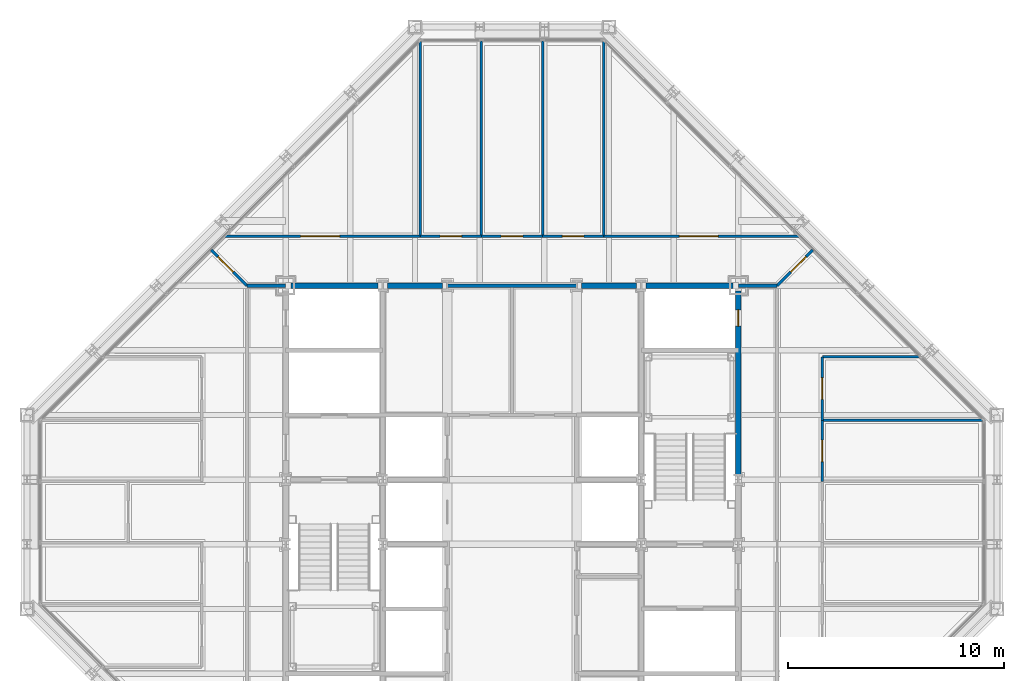
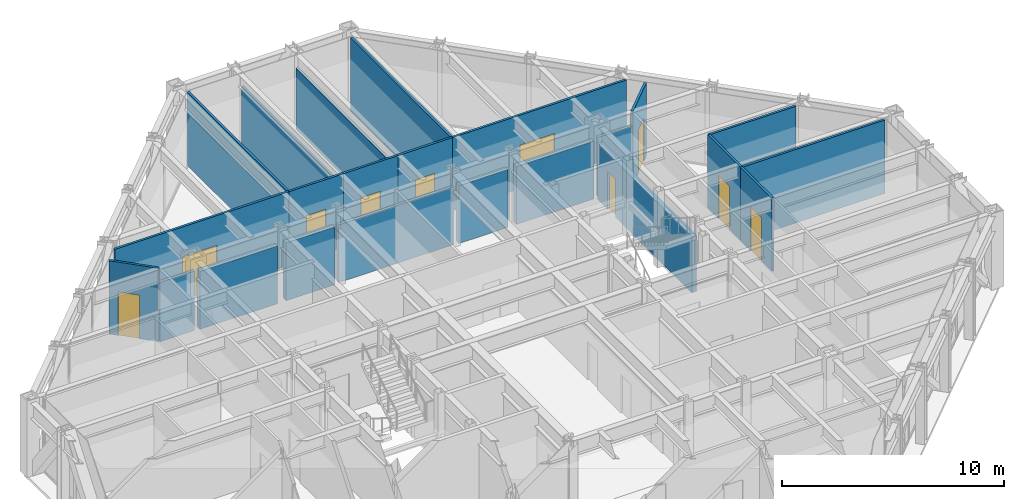
# One storey, part 12 of 15: 23 walls, 10 doors, 10 openings.
"""IFC4 building model written with IfcOpenShell, lengths in metres."""

import ifcopenshell
import ifcopenshell.guid

model = None  # the IFC model being written
_history = None  # IfcOwnerHistory: only IFC2X3 demands one
_inside = {}  # id of a spatial element -> (the spatial element, [elements in it])
_under = {}  # id of a project, library or spatial element -> (it, [spatial elements below it])
_declared = {}  # id of a project -> (the project, [libraries it declares])
_typed = {}  # id of a type object -> (the type object, [elements of that type])
_made_of = {}  # id of a material, layer set ... -> (it, [elements and type objects made of it])


def new_model(schema):
    """Start an empty IFC model of exactly this schema.

    Asked for "IFC4X3", IfcOpenShell would pick the latest addendum, in which some entities
    have other attributes; the version numbers below select the first issue.
    IFC2X3 requires an IfcOwnerHistory on every rooted entity: one is made here for all.
    """
    global model, _history
    if schema == "IFC4X3":
        model = ifcopenshell.file(schema_version=(4, 3, 0, 0))
    else:
        model = ifcopenshell.file(schema=schema)
    _inside.clear()
    _under.clear()
    _declared.clear()
    _typed.clear()
    _made_of.clear()
    _history = None
    if model.schema == "IFC2X3":
        org = make("IfcOrganization", Name="unknown")
        user = make(
            "IfcPersonAndOrganization",
            ThePerson=make("IfcPerson", FamilyName="unknown"),
            TheOrganization=org,
        )
        app = make(
            "IfcApplication",
            ApplicationDeveloper=org,
            Version="unknown",
            ApplicationFullName="unknown",
            ApplicationIdentifier="unknown",
        )
        _history = make(
            "IfcOwnerHistory",
            OwningUser=user,
            OwningApplication=app,
            ChangeAction="ADDED",
            CreationDate=0,
        )
    return model


def make(cls, **values):
    """One entity of the class cls with the attributes given. An attribute that is None is left unset."""
    return model.create_entity(
        cls, **{name: value for name, value in values.items() if value is not None}
    )


def rooted(cls, **values):
    """An entity with a GlobalId (a new one), such as an element, a storey or a relation."""
    return make(cls, GlobalId=ifcopenshell.guid.new(), OwnerHistory=_history, **values)


def si_unit(unit_type, name, prefix=None):
    """IfcSIUnit, for example si_unit("LENGTHUNIT", "METRE", prefix="MILLI")."""
    return make("IfcSIUnit", UnitType=unit_type, Prefix=prefix, Name=name)


def assignment(units):
    """IfcUnitAssignment: the units of a project."""
    return None if units is None else make("IfcUnitAssignment", Units=units)


def point(xyz):
    """IfcCartesianPoint."""
    return None if xyz is None else make("IfcCartesianPoint", Coordinates=xyz)


def direction(xyz):
    """IfcDirection."""
    return None if xyz is None else make("IfcDirection", DirectionRatios=xyz)


def frame(location, z_axis=None, x_axis=None):
    """IfcAxis2Placement3D, a coordinate frame: its origin and axes. An axis left out is left unset."""
    return make(
        "IfcAxis2Placement3D",
        Location=point(location),
        Axis=direction(z_axis),
        RefDirection=direction(x_axis),
    )


def frame_2d(location, x_axis=None):
    """IfcAxis2Placement2D, a coordinate frame in the plane: its origin and x axis."""
    return make(
        "IfcAxis2Placement2D", Location=point(location), RefDirection=direction(x_axis)
    )


def origin():
    """The frame at (0, 0, 0) with its axes left unset."""
    return frame((0.0, 0.0, 0.0))


def place(relative_to, where):
    """IfcLocalPlacement: puts the frame where relative to a parent placement (None: the world)."""
    return make(
        "IfcLocalPlacement", PlacementRelTo=relative_to, RelativePlacement=where
    )


def context(
    kind, dimensions, precision=None, world=None, true_north=None, identifier=None
):
    """IfcGeometricRepresentationContext, for example the 3D "Model" context."""
    return make(
        "IfcGeometricRepresentationContext",
        ContextIdentifier=identifier,
        ContextType=kind,
        CoordinateSpaceDimension=dimensions,
        Precision=precision,
        WorldCoordinateSystem=world,
        TrueNorth=true_north,
    )


def subcontext(parent, identifier, kind, view, scale=None):
    """IfcGeometricRepresentationSubContext, for example "Body" below "Model"."""
    return make(
        "IfcGeometricRepresentationSubContext",
        ContextIdentifier=identifier,
        ContextType=kind,
        ParentContext=parent,
        TargetScale=scale,
        TargetView=view,
    )


def project(units=None, contexts=None):
    """IfcProject with its units and contexts."""
    return rooted(
        "IfcProject",
        Name="project",
        RepresentationContexts=contexts,
        UnitsInContext=assignment(units),
    )


def spatial(cls, under=None, at=None, **own):
    """A site, building, storey or space (cls), placed at a placement, below another one or the project."""
    s = rooted(cls, ObjectPlacement=at, **own)
    if under is not None:
        _under.setdefault(under.id(), (under, []))[1].append(s)
    return s


def profile(cls, at=None, kind="AREA", **sizes):
    """A parametric profile (cls). Its sizes go by their IFC names, for example OverallWidth=200.0."""
    return make(cls, ProfileType=kind, Position=at, **sizes)


def rectangle(**sizes):
    """IfcRectangleProfileDef."""
    return profile("IfcRectangleProfileDef", **sizes)


def extrude(swept, where, along, depth):
    """IfcExtrudedAreaSolid: the profile swept, set in the frame where, extruded along a direction by depth."""
    return make(
        "IfcExtrudedAreaSolid",
        SweptArea=swept,
        Position=where,
        ExtrudedDirection=direction(along),
        Depth=depth,
    )


def shape(context_of_items, identifier, shape_type, items):
    """IfcShapeRepresentation: the items that make up one representation, for example the "Body"."""
    return make(
        "IfcShapeRepresentation",
        ContextOfItems=context_of_items,
        RepresentationIdentifier=identifier,
        RepresentationType=shape_type,
        Items=items,
    )


def material(Name=None, Category=None):
    """IfcMaterial."""
    return make("IfcMaterial", Name=Name, Category=Category)


def layer(
    of_material, thickness, ventilated=None, Name=None, Category=None, Priority=None
):
    """IfcMaterialLayer: one layer of a wall or slab, of a material (None: an air gap)."""
    return make(
        "IfcMaterialLayer",
        Material=of_material,
        LayerThickness=thickness,
        IsVentilated=ventilated,
        Name=Name,
        Category=Category,
        Priority=Priority,
    )


def layer_set(layers, Name=None):
    """IfcMaterialLayerSet."""
    return make("IfcMaterialLayerSet", MaterialLayers=layers, LayerSetName=Name)


def made_of(thing, what):
    """Note that an element or type object is made of a material, layer set ...; save() writes the relation."""
    if what is not None:
        _made_of.setdefault(what.id(), (what, []))[1].append(thing)
    return thing


def type_object(cls, material=None, **own):
    """A type object (cls), such as IfcWallType, which elements share."""
    return made_of(rooted(cls, **own), material)


def element(
    cls,
    number,
    at=None,
    inside=None,
    cuts=None,
    type_object=None,
    material=None,
    context=None,
    identifier="Body",
    shape_type=None,
    held_by="IfcProductDefinitionShape",
    body=None,
    shapes=None,
    **own,
):
    """One element of the class cls, such as IfcWall. Its Tag is "e" and its number.

    at: its placement. inside: the storey or other place that contains it. cuts: it is an
    opening in that element (IfcRelVoidsElement). A single representation is given by context,
    identifier, shape_type and body (its items); several are given by shapes. held_by: the class
    of the entity that holds the representations. save() writes the other relations.
    """
    e = rooted(cls, Tag="e%d" % number, ObjectPlacement=at, **own)
    if body is not None:
        shapes = [shape(context, identifier, shape_type, body)]
    if shapes is not None:
        e.Representation = make(held_by, Representations=shapes)
    if inside is not None:
        _inside.setdefault(inside.id(), (inside, []))[1].append(e)
    if cuts is not None:
        rooted(
            "IfcRelVoidsElement", RelatingBuildingElement=cuts, RelatedOpeningElement=e
        )
    if type_object is not None:
        _typed.setdefault(type_object.id(), (type_object, []))[1].append(e)
    return made_of(e, material)


def fill(opening, filler):
    """IfcRelFillsElement: the door or window that sits in an opening."""
    return rooted(
        "IfcRelFillsElement",
        RelatingOpeningElement=opening,
        RelatedBuildingElement=filler,
    )


def aggregate(whole, parts):
    """IfcRelAggregates: a whole, such as a stair, and the parts it consists of."""
    return rooted("IfcRelAggregates", RelatingObject=whole, RelatedObjects=parts)


def save(model, path):
    """Write the relations noted so far, then the file.

    IfcRelAggregates (storeys below a building ...), IfcRelContainedInSpatialStructure (elements
    in a storey), IfcRelDefinesByType, IfcRelAssociatesMaterial and IfcRelDeclares: one each for
    every whole, place, type object, material and project.
    """
    for whole, parts in _under.values():
        aggregate(whole, parts)
    for where, things in _inside.values():
        rooted(
            "IfcRelContainedInSpatialStructure",
            RelatedElements=things,
            RelatingStructure=where,
        )
    for kind, things in _typed.values():
        rooted("IfcRelDefinesByType", RelatedObjects=things, RelatingType=kind)
    for what, things in _made_of.values():
        rooted("IfcRelAssociatesMaterial", RelatedObjects=things, RelatingMaterial=what)
    for by, libraries in _declared.values():
        rooted("IfcRelDeclares", RelatingContext=by, RelatedDefinitions=libraries)
    model.write(path)


model = new_model("IFC4")

# Units and contexts
model_context = context("Model", 3, precision=1e-05, world=origin(), true_north=direction((0.0, 1.0)))
body_context = subcontext(model_context, "Body", "Model", "MODEL_VIEW")
ifc_project = project(units=[si_unit("LENGTHUNIT", "METRE"), si_unit("AREAUNIT", "SQUARE_METRE"), si_unit("VOLUMEUNIT", "CUBIC_METRE"), si_unit("PLANEANGLEUNIT", "RADIAN"), si_unit("MASSUNIT", "GRAM", prefix="KILO")], contexts=[model_context])

# Site, building, storey
site_placement = place(None, origin())
site = spatial("IfcSite", under=ifc_project, at=site_placement, CompositionType="ELEMENT")
building_placement = place(site_placement, origin())
building = spatial("IfcBuilding", under=site, at=building_placement, Name="Chuquiago Exchange Tower", CompositionType="ELEMENT")
storey_placement = place(building_placement, frame((0.0, 0.0, 262.199951171875)))
storey = spatial("IfcBuildingStorey", under=building, at=storey_placement, Name="L58", CompositionType="ELEMENT", Elevation=262.199951171875)

# Walls
ifc_material_1 = material(Name="Concrete masonry, fully grouted", Category="masonry")
ifc_layer_1 = layer(ifc_material_1, 0.25)
ifc_layer_set_1 = layer_set([ifc_layer_1], Name="W1 core wall 250")
wall_type_1 = type_object("IfcWallType", Name="W1 core wall 250", PredefinedType="SOLIDWALL", material=ifc_layer_set_1)
wall_1_placement = place(storey_placement, frame((12.25, 33.0, 0.0), z_axis=(0.0, 0.0, 1.0), x_axis=(1.0, 0.0, 0.0)))
element("IfcWall", 1, at=wall_1_placement, inside=storey, type_object=wall_type_1, Name="CW-L58-11-0", PredefinedType="SOLIDWALL", context=body_context, shape_type="SweptSolid", body=[
    extrude(rectangle(XDim=4.025146484375, YDim=0.25, at=frame_2d((2.0126953125, 0.0))), origin(), (0.0, 0.0, 1.0), 3.181640625),
])
for number, where, z_axis, x_axis, name in (
    (2, (16.724853515625, 33.0, 0.0), (0.0, 0.0, 1.0), (1.0, 0.0, 0.0), "CW-L58-11-1"),
    (3, (25.724853515625, 33.0, 0.0), (0.0, 0.0, 1.0), (1.0, 0.0, 0.0), "CW-L58-12-0"),
):
    element("IfcWall", number, at=place(storey_placement, frame(where, z_axis=z_axis, x_axis=x_axis)), inside=storey, type_object=wall_type_1, Name=name, PredefinedType="SOLIDWALL", context=body_context, shape_type="SweptSolid", body=[
        extrude(rectangle(XDim=2.55029296875, YDim=0.25, at=frame_2d((1.275146484375, 0.0))), origin(), (0.0, 0.0, 1.0), 3.181640625),
    ])
wall_2_placement = place(storey_placement, frame((28.724853515625, 33.0, 0.0), z_axis=(0.0, 0.0, 1.0), x_axis=(1.0, 0.0, 0.0)))
element("IfcWall", 4, at=wall_2_placement, inside=storey, type_object=wall_type_1, Name="CW-L58-12-1", PredefinedType="SOLIDWALL", context=body_context, shape_type="SweptSolid", body=[
    extrude(rectangle(XDim=4.025146484375, YDim=0.25, at=frame_2d((2.0126953125, 0.0))), origin(), (0.0, 0.0, 1.0), 3.181640625),
])

# Wall, opening, door
wall_3_placement = place(storey_placement, frame((33.0, 24.25, 0.0), z_axis=(0.0, 0.0, 1.0), x_axis=(0.0, 1.0, 0.0)))
wall_3 = element("IfcWall", 5, at=wall_3_placement, inside=storey, type_object=wall_type_1, Name="CW-L58-25-2", PredefinedType="SOLIDWALL", context=body_context, shape_type="SweptSolid", body=[
    extrude(rectangle(XDim=8.5, YDim=0.25, at=frame_2d((4.25, 0.0))), origin(), (0.0, 0.0, 1.0), 3.113037109375),
])
opening_1_placement = place(wall_3_placement, frame((6.875, 0.0, 0.0)))
opening_1 = element("IfcOpeningElement", 6, at=opening_1_placement, cuts=wall_3, Name="Opening L58-010", PredefinedType="OPENING", context=body_context, shape_type="SweptSolid", body=[
    extrude(rectangle(XDim=0.75, YDim=2.10009765625, at=frame_2d((0.375, 1.050048828125))), frame((0.0, 0.135009765625, 0.0), z_axis=(0.0, -1.0, 0.0), x_axis=(1.0, 0.0, 0.0)), (0.0, 0.0, 1.0), 0.27001953125),
])
ifc_material_2 = material(Name="Steel door, painted", Category="steel")
door_type_1 = type_object("IfcDoorType", Name="D6 riser access door 750x2100", OperationType="SINGLE_SWING_LEFT", PredefinedType="DOOR", material=ifc_material_2)
door_1_placement = place(opening_1_placement, origin())
door_1 = element("IfcDoor", 7, at=door_1_placement, inside=storey, type_object=door_type_1, Name="Riser RE2 door", OperationType="SINGLE_SWING_RIGHT", OverallHeight=2.10009765625, OverallWidth=0.75, PredefinedType="DOOR", context=body_context, shape_type="SweptSolid", body=[
    extrude(rectangle(XDim=0.75, YDim=2.10009765625, at=frame_2d((0.375, 1.050048828125))), frame((0.0, 0.02490234375, 0.0), z_axis=(0.0, -1.0, 0.0), x_axis=(1.0, 0.0, 0.0)), (0.0, 0.0, 1.0), 0.050048828125),
])
fill(opening_1, door_1)

# Walls
ifc_material_3 = material(Name="Gypsum board on steel studs, acoustic insulation", Category="steel")
ifc_layer_2 = layer(ifc_material_3, 0.14990234375)
ifc_layer_set_2 = layer_set([ifc_layer_2], Name="W11 corridor wall 150")
wall_type_2 = type_object("IfcWallType", Name="W11 corridor wall 150", PredefinedType="PARTITIONING", material=ifc_layer_set_2)
for number, where, z_axis, x_axis, name in (
    (8, (10.199951171875, 33.0, 0.0), (0.0, 0.0, 1.0), (1.0, 0.0, 0.0), "PW-L58-GWN0"),
    (9, (33.0, 33.0, 0.0), (0.0, 0.0, 1.0), (1.0, 0.0, 0.0), "PW-L58-GEN0"),
):
    element("IfcWall", number, at=place(storey_placement, frame(where, z_axis=z_axis, x_axis=x_axis)), inside=storey, type_object=wall_type_2, Name=name, PredefinedType="PARTITIONING", context=body_context, shape_type="SweptSolid", body=[
        extrude(rectangle(XDim=1.800048828125, YDim=0.14990234375, at=frame_2d((0.89990234375, 0.0))), origin(), (0.0, 0.0, 1.0), 3.2705078125),
    ])
ifc_material_4 = material(Name="Gypsum board on steel studs", Category="steel")
ifc_layer_3 = layer(ifc_material_4, 0.14990234375)
ifc_layer_set_3 = layer_set([ifc_layer_3], Name="W3 core partition 150")
wall_type_3 = type_object("IfcWallType", Name="W3 core partition 150", PredefinedType="PARTITIONING", material=ifc_layer_set_3)
wall_4_placement = place(storey_placement, frame((19.5, 33.0, 0.0), z_axis=(0.0, 0.0, 1.0), x_axis=(1.0, 0.0, 0.0)))
element("IfcWall", 10, at=wall_4_placement, inside=storey, type_object=wall_type_3, Name="CW-L58-TB", PredefinedType="PARTITIONING", context=body_context, shape_type="SweptSolid", body=[
    extrude(rectangle(XDim=6.0, YDim=0.14990234375, at=frame_2d((3.0, 0.0))), origin(), (0.0, 0.0, 1.0), 3.181640625),
])
ifc_material_5 = material(Name="Gypsum board on steel studs", Category="steel")
ifc_layer_4 = layer(ifc_material_5, 0.1201171875)
ifc_layer_set_4 = layer_set([ifc_layer_4], Name="W4 partition 120")
wall_type_4 = type_object("IfcWallType", Name="W4 partition 120", PredefinedType="PARTITIONING", material=ifc_layer_set_4)
wall_5_placement = place(storey_placement, frame((44.333984375, 26.75146484375, 0.0), z_axis=(0.0, 0.0, 1.0), x_axis=(-1.0, 0.0, 0.0)))
element("IfcWall", 11, at=wall_5_placement, inside=storey, type_object=wall_type_4, Name="PW-L58-E02675", PredefinedType="PARTITIONING", context=body_context, shape_type="SweptSolid", body=[
    extrude(rectangle(XDim=7.43408203125, YDim=0.1201171875, at=frame_2d((3.717041015625, 0.0))), origin(), (0.0, 0.0, 1.0), 4.0400390625),
])
wall_6_placement = place(storey_placement, frame((41.392578125, 29.69287109375, 0.0), z_axis=(0.0, 0.0, 1.0), x_axis=(-1.0, 0.0, 0.0)))
element("IfcWall", 12, at=wall_6_placement, inside=storey, type_object=wall_type_4, Name="PW-L58-E02969", PredefinedType="PARTITIONING", context=body_context, shape_type="SweptSolid", body=[
    extrude(rectangle(XDim=4.49267578125, YDim=0.1201171875, at=frame_2d((2.246337890625, 0.0))), origin(), (0.0, 0.0, 1.0), 4.0400390625),
])

# Wall, opening, door
wall_7_placement = place(storey_placement, frame((36.89990234375, 23.917236328125, 0.0), z_axis=(0.0, 0.0, 1.0), x_axis=(0.0, 1.0, 0.0)))
wall_7 = element("IfcWall", 13, at=wall_7_placement, inside=storey, type_object=wall_type_4, Name="PW-L58-EF02392", PredefinedType="PARTITIONING", context=body_context, shape_type="SweptSolid", body=[
    extrude(rectangle(XDim=2.834228515625, YDim=0.1201171875, at=frame_2d((1.4169921875, 0.0))), origin(), (0.0, 0.0, 1.0), 4.0400390625),
])
opening_2_placement = place(wall_7_placement, frame((0.9169921875, 0.0, 0.0)))
opening_2 = element("IfcOpeningElement", 14, at=opening_2_placement, cuts=wall_7, Name="Opening L58-029", PredefinedType="OPENING", context=body_context, shape_type="SweptSolid", body=[
    extrude(rectangle(XDim=1.0, YDim=2.39990234375, at=frame_2d((0.5, 1.199951171875))), frame((0.0, 0.070068359375, 0.0), z_axis=(0.0, -1.0, 0.0), x_axis=(1.0, 0.0, 0.0)), (0.0, 0.0, 1.0), 0.14013671875),
])
ifc_material_6 = material(Name="Timber frame door, full height glazed panel", Category="wood")
door_type_2 = type_object("IfcDoorType", Name="D14 glazed meeting room door 1000x2400", OperationType="SINGLE_SWING_LEFT", PredefinedType="DOOR", material=ifc_material_6)
door_2_placement = place(opening_2_placement, frame((1.0, 0.0, 0.0), z_axis=(0.0, 0.0, 1.0), x_axis=(-1.0, 0.0, 0.0)))
door_2 = element("IfcDoor", 15, at=door_2_placement, inside=storey, type_object=door_type_2, Name="Meeting room door", OperationType="SINGLE_SWING_RIGHT", OverallHeight=2.39990234375, OverallWidth=1.0, PredefinedType="DOOR", context=body_context, shape_type="SweptSolid", body=[
    extrude(rectangle(XDim=1.0, YDim=2.39990234375, at=frame_2d((0.5, 1.199951171875))), frame((0.0, 0.02490234375, 0.0), z_axis=(0.0, -1.0, 0.0), x_axis=(1.0, 0.0, 0.0)), (0.0, 0.0, 1.0), 0.050048828125),
])
fill(opening_2, door_2)

wall_8_placement = place(storey_placement, frame((36.89990234375, 26.75146484375, 0.0), z_axis=(0.0, 0.0, 1.0), x_axis=(0.0, 1.0, 0.0)))
wall_8 = element("IfcWall", 16, at=wall_8_placement, inside=storey, type_object=wall_type_4, Name="PW-L58-EF02675", PredefinedType="PARTITIONING", context=body_context, shape_type="SweptSolid", body=[
    extrude(rectangle(XDim=2.94140625, YDim=0.1201171875, at=frame_2d((1.470703125, 0.0))), origin(), (0.0, 0.0, 1.0), 4.0400390625),
])
opening_3_placement = place(wall_8_placement, frame((0.970703125, 0.0, 0.0)))
opening_3 = element("IfcOpeningElement", 17, at=opening_3_placement, cuts=wall_8, Name="Opening L58-030", PredefinedType="OPENING", context=body_context, shape_type="SweptSolid", body=[
    extrude(rectangle(XDim=1.0, YDim=2.39990234375, at=frame_2d((0.5, 1.199951171875))), frame((0.0, 0.070068359375, 0.0), z_axis=(0.0, -1.0, 0.0), x_axis=(1.0, 0.0, 0.0)), (0.0, 0.0, 1.0), 0.14013671875),
])
ifc_material_7 = material(Name="Timber door, laminate faced", Category="wood")
door_type_3 = type_object("IfcDoorType", Name="D9 room door 1000x2400", OperationType="SINGLE_SWING_LEFT", PredefinedType="DOOR", material=ifc_material_7)
door_3_placement = place(opening_3_placement, frame((1.0, 0.0, 0.0), z_axis=(0.0, 0.0, 1.0), x_axis=(-1.0, 0.0, 0.0)))
door_3 = element("IfcDoor", 18, at=door_3_placement, inside=storey, type_object=door_type_3, Name="Office door", OperationType="SINGLE_SWING_RIGHT", OverallHeight=2.39990234375, OverallWidth=1.0, PredefinedType="DOOR", context=body_context, shape_type="SweptSolid", body=[
    extrude(rectangle(XDim=1.0, YDim=2.39990234375, at=frame_2d((0.5, 1.199951171875))), frame((0.0, 0.02490234375, 0.0), z_axis=(0.0, -1.0, 0.0), x_axis=(1.0, 0.0, 0.0)), (0.0, 0.0, 1.0), 0.050048828125),
])
fill(opening_3, door_3)

# Walls
wall_9_placement = place(storey_placement, frame((18.24853515625, 44.333984375, 0.0), z_axis=(0.0, 0.0, 1.0), x_axis=(0.0, -1.0, 0.0)))
element("IfcWall", 19, at=wall_9_placement, inside=storey, type_object=wall_type_4, Name="PW-L58-N01825", PredefinedType="PARTITIONING", context=body_context, shape_type="SweptSolid", body=[
    extrude(rectangle(XDim=9.033935546875, YDim=0.1201171875, at=frame_2d((4.51708984375, 0.0))), origin(), (0.0, 0.0, 1.0), 4.0400390625),
])
for number, where, z_axis, x_axis, name in (
    (20, (21.082763671875, 44.347412109375, 0.0), (0.0, 0.0, 1.0), (0.0, -1.0, 0.0), "PW-L58-N02108"),
    (21, (23.917236328125, 44.347412109375, 0.0), (0.0, 0.0, 1.0), (0.0, -1.0, 0.0), "PW-L58-N02392"),
):
    element("IfcWall", number, at=place(storey_placement, frame(where, z_axis=z_axis, x_axis=x_axis)), inside=storey, type_object=wall_type_4, Name=name, PredefinedType="PARTITIONING", context=body_context, shape_type="SweptSolid", body=[
        extrude(rectangle(XDim=9.04736328125, YDim=0.1201171875, at=frame_2d((4.523681640625, 0.0))), origin(), (0.0, 0.0, 1.0), 3.35693359375),
    ])
wall_10_placement = place(storey_placement, frame((26.75146484375, 44.333984375, 0.0), z_axis=(0.0, 0.0, 1.0), x_axis=(0.0, -1.0, 0.0)))
element("IfcWall", 22, at=wall_10_placement, inside=storey, type_object=wall_type_4, Name="PW-L58-N02675", PredefinedType="PARTITIONING", context=body_context, shape_type="SweptSolid", body=[
    extrude(rectangle(XDim=9.033935546875, YDim=0.1201171875, at=frame_2d((4.51708984375, 0.0))), origin(), (0.0, 0.0, 1.0), 4.0400390625),
])

# Wall, opening, door
wall_11_placement = place(storey_placement, frame((9.185546875, 35.300048828125, 0.0), z_axis=(0.0, 0.0, 1.0), x_axis=(1.0, 0.0, 0.0)))
wall_11 = element("IfcWall", 23, at=wall_11_placement, inside=storey, type_object=wall_type_4, Name="PW-L58-NF00942", PredefinedType="PARTITIONING", context=body_context, shape_type="SweptSolid", body=[
    extrude(rectangle(XDim=9.06298828125, YDim=0.1201171875, at=frame_2d((4.531494140625, 0.0))), origin(), (0.0, 0.0, 1.0), 4.0400390625),
])
opening_4_placement = place(wall_11_placement, frame((3.51220703125, 0.0, 0.0)))
opening_4 = element("IfcOpeningElement", 24, at=opening_4_placement, cuts=wall_11, Name="Opening L58-031", PredefinedType="OPENING", context=body_context, shape_type="SweptSolid", body=[
    extrude(rectangle(XDim=1.800048828125, YDim=2.39990234375, at=frame_2d((0.89990234375, 1.199951171875))), frame((0.0, 0.070068359375, 0.0), z_axis=(0.0, -1.0, 0.0), x_axis=(1.0, 0.0, 0.0)), (0.0, 0.0, 1.0), 0.14013671875),
])
ifc_material_8 = material(Name="Timber door pair, laminate faced", Category="wood")
door_type_4 = type_object("IfcDoorType", Name="D15 double room door 1800x2400", OperationType="DOUBLE_DOOR_DOUBLE_SWING", PredefinedType="DOOR", material=ifc_material_8)
door_4_placement = place(opening_4_placement, origin())
door_4 = element("IfcDoor", 25, at=door_4_placement, inside=storey, type_object=door_type_4, Name="Training room door", OperationType="DOUBLE_DOOR_DOUBLE_SWING", OverallHeight=2.39990234375, OverallWidth=1.800048828125, PredefinedType="DOOR", context=body_context, shape_type="SweptSolid", body=[
    extrude(rectangle(XDim=1.800048828125, YDim=2.39990234375, at=frame_2d((0.89990234375, 1.199951171875))), frame((0.0, 0.02490234375, 0.0), z_axis=(0.0, -1.0, 0.0), x_axis=(1.0, 0.0, 0.0)), (0.0, 0.0, 1.0), 0.050048828125),
])
fill(opening_4, door_4)

wall_12_placement = place(storey_placement, frame((18.24853515625, 35.300048828125, 0.0), z_axis=(0.0, 0.0, 1.0), x_axis=(1.0, 0.0, 0.0)))
wall_12 = element("IfcWall", 26, at=wall_12_placement, inside=storey, type_object=wall_type_4, Name="PW-L58-NF01825", PredefinedType="PARTITIONING", context=body_context, shape_type="SweptSolid", body=[
    extrude(rectangle(XDim=2.834228515625, YDim=0.1201171875, at=frame_2d((1.4169921875, 0.0))), origin(), (0.0, 0.0, 1.0), 4.0400390625),
])
opening_5_placement = place(wall_12_placement, frame((0.9169921875, 0.0, 0.0)))
opening_5 = element("IfcOpeningElement", 27, at=opening_5_placement, cuts=wall_12, Name="Opening L58-032", PredefinedType="OPENING", context=body_context, shape_type="SweptSolid", body=[
    extrude(rectangle(XDim=1.0, YDim=2.39990234375, at=frame_2d((0.5, 1.199951171875))), frame((0.0, 0.070068359375, 0.0), z_axis=(0.0, -1.0, 0.0), x_axis=(1.0, 0.0, 0.0)), (0.0, 0.0, 1.0), 0.14013671875),
])
door_5_placement = place(opening_5_placement, origin())
door_5 = element("IfcDoor", 28, at=door_5_placement, inside=storey, type_object=door_type_3, Name="Executive office door", OperationType="SINGLE_SWING_LEFT", OverallHeight=2.39990234375, OverallWidth=1.0, PredefinedType="DOOR", context=body_context, shape_type="SweptSolid", body=[
    extrude(rectangle(XDim=1.0, YDim=2.39990234375, at=frame_2d((0.5, 1.199951171875))), frame((0.0, 0.02490234375, 0.0), z_axis=(0.0, -1.0, 0.0), x_axis=(1.0, 0.0, 0.0)), (0.0, 0.0, 1.0), 0.050048828125),
])
fill(opening_5, door_5)

wall_13_placement = place(storey_placement, frame((21.082763671875, 35.300048828125, 0.0), z_axis=(0.0, 0.0, 1.0), x_axis=(1.0, 0.0, 0.0)))
wall_13 = element("IfcWall", 29, at=wall_13_placement, inside=storey, type_object=wall_type_4, Name="PW-L58-NF02108", PredefinedType="PARTITIONING", context=body_context, shape_type="SweptSolid", body=[
    extrude(rectangle(XDim=2.83447265625, YDim=0.1201171875, at=frame_2d((1.417236328125, 0.0))), origin(), (0.0, 0.0, 1.0), 4.0400390625),
])
opening_6_placement = place(wall_13_placement, frame((0.917236328125, 0.0, 0.0)))
opening_6 = element("IfcOpeningElement", 30, at=opening_6_placement, cuts=wall_13, Name="Opening L58-033", PredefinedType="OPENING", context=body_context, shape_type="SweptSolid", body=[
    extrude(rectangle(XDim=1.0, YDim=2.39990234375, at=frame_2d((0.5, 1.199951171875))), frame((0.0, 0.070068359375, 0.0), z_axis=(0.0, -1.0, 0.0), x_axis=(1.0, 0.0, 0.0)), (0.0, 0.0, 1.0), 0.14013671875),
])
door_6_placement = place(opening_6_placement, origin())
door_6 = element("IfcDoor", 31, at=door_6_placement, inside=storey, type_object=door_type_3, Name="Executive office door", OperationType="SINGLE_SWING_LEFT", OverallHeight=2.39990234375, OverallWidth=1.0, PredefinedType="DOOR", context=body_context, shape_type="SweptSolid", body=[
    extrude(rectangle(XDim=1.0, YDim=2.39990234375, at=frame_2d((0.5, 1.199951171875))), frame((0.0, 0.02490234375, 0.0), z_axis=(0.0, -1.0, 0.0), x_axis=(1.0, 0.0, 0.0)), (0.0, 0.0, 1.0), 0.050048828125),
])
fill(opening_6, door_6)

wall_14_placement = place(storey_placement, frame((23.917236328125, 35.300048828125, 0.0), z_axis=(0.0, 0.0, 1.0), x_axis=(1.0, 0.0, 0.0)))
wall_14 = element("IfcWall", 32, at=wall_14_placement, inside=storey, type_object=wall_type_4, Name="PW-L58-NF02392", PredefinedType="PARTITIONING", context=body_context, shape_type="SweptSolid", body=[
    extrude(rectangle(XDim=2.834228515625, YDim=0.1201171875, at=frame_2d((1.4169921875, 0.0))), origin(), (0.0, 0.0, 1.0), 4.0400390625),
])
opening_7_placement = place(wall_14_placement, frame((0.9169921875, 0.0, 0.0)))
opening_7 = element("IfcOpeningElement", 33, at=opening_7_placement, cuts=wall_14, Name="Opening L58-034", PredefinedType="OPENING", context=body_context, shape_type="SweptSolid", body=[
    extrude(rectangle(XDim=1.0, YDim=2.39990234375, at=frame_2d((0.5, 1.199951171875))), frame((0.0, 0.070068359375, 0.0), z_axis=(0.0, -1.0, 0.0), x_axis=(1.0, 0.0, 0.0)), (0.0, 0.0, 1.0), 0.14013671875),
])
door_7_placement = place(opening_7_placement, origin())
door_7 = element("IfcDoor", 34, at=door_7_placement, inside=storey, type_object=door_type_3, Name="Executive office door", OperationType="SINGLE_SWING_LEFT", OverallHeight=2.39990234375, OverallWidth=1.0, PredefinedType="DOOR", context=body_context, shape_type="SweptSolid", body=[
    extrude(rectangle(XDim=1.0, YDim=2.39990234375, at=frame_2d((0.5, 1.199951171875))), frame((0.0, 0.02490234375, 0.0), z_axis=(0.0, -1.0, 0.0), x_axis=(1.0, 0.0, 0.0)), (0.0, 0.0, 1.0), 0.050048828125),
])
fill(opening_7, door_7)

wall_15_placement = place(storey_placement, frame((26.75146484375, 35.300048828125, 0.0), z_axis=(0.0, 0.0, 1.0), x_axis=(1.0, 0.0, 0.0)))
wall_15 = element("IfcWall", 35, at=wall_15_placement, inside=storey, type_object=wall_type_4, Name="PW-L58-NF02675", PredefinedType="PARTITIONING", context=body_context, shape_type="SweptSolid", body=[
    extrude(rectangle(XDim=9.06298828125, YDim=0.1201171875, at=frame_2d((4.531494140625, 0.0))), origin(), (0.0, 0.0, 1.0), 4.0400390625),
])
opening_8_placement = place(wall_15_placement, frame((3.51220703125, 0.0, 0.0)))
opening_8 = element("IfcOpeningElement", 36, at=opening_8_placement, cuts=wall_15, Name="Opening L58-035", PredefinedType="OPENING", context=body_context, shape_type="SweptSolid", body=[
    extrude(rectangle(XDim=1.800048828125, YDim=2.39990234375, at=frame_2d((0.89990234375, 1.199951171875))), frame((0.0, 0.070068359375, 0.0), z_axis=(0.0, -1.0, 0.0), x_axis=(1.0, 0.0, 0.0)), (0.0, 0.0, 1.0), 0.14013671875),
])
door_8_placement = place(opening_8_placement, origin())
door_8 = element("IfcDoor", 37, at=door_8_placement, inside=storey, type_object=door_type_4, Name="Boardroom door", OperationType="DOUBLE_DOOR_DOUBLE_SWING", OverallHeight=2.39990234375, OverallWidth=1.800048828125, PredefinedType="DOOR", context=body_context, shape_type="SweptSolid", body=[
    extrude(rectangle(XDim=1.800048828125, YDim=2.39990234375, at=frame_2d((0.89990234375, 1.199951171875))), frame((0.0, 0.02490234375, 0.0), z_axis=(0.0, -1.0, 0.0), x_axis=(1.0, 0.0, 0.0)), (0.0, 0.0, 1.0), 0.050048828125),
])
fill(opening_8, door_8)

wall_16_placement = place(storey_placement, frame((34.800048828125, 33.0, 0.0), z_axis=(0.0, 0.0, 1.0), x_axis=(0.707106781187, 0.707106781187, 0.0)))
wall_16 = element("IfcWall", 38, at=wall_16_placement, inside=storey, type_object=wall_type_4, Name="PW-L58-QNE", PredefinedType="PARTITIONING", context=body_context, shape_type="SweptSolid", body=[
    extrude(rectangle(XDim=2.337890625, YDim=0.1201171875, at=frame_2d((1.1689453125, 0.0))), origin(), (0.0, 0.0, 1.0), 4.0400390625),
])
opening_9_placement = place(wall_16_placement, frame((0.89990234375, 0.0, 0.0)))
opening_9 = element("IfcOpeningElement", 39, at=opening_9_placement, cuts=wall_16, Name="Opening L58-044", PredefinedType="OPENING", context=body_context, shape_type="SweptSolid", body=[
    extrude(rectangle(XDim=1.0, YDim=2.39990234375, at=frame_2d((0.5, 1.199951171875))), frame((0.0, 0.070068359375, 0.0), z_axis=(0.0, -1.0, 0.0), x_axis=(1.0, 0.0, 0.0)), (0.0, 0.0, 1.0), 0.14013671875),
])
door_9_placement = place(opening_9_placement, origin())
door_9 = element("IfcDoor", 40, at=door_9_placement, inside=storey, type_object=door_type_3, Name="Team area door", OperationType="SINGLE_SWING_RIGHT", OverallHeight=2.39990234375, OverallWidth=1.0, PredefinedType="DOOR", context=body_context, shape_type="SweptSolid", body=[
    extrude(rectangle(XDim=1.0, YDim=2.39990234375, at=frame_2d((0.5, 1.199951171875))), frame((0.0, 0.02490234375, 0.0), z_axis=(0.0, -1.0, 0.0), x_axis=(1.0, 0.0, 0.0)), (0.0, 0.0, 1.0), 0.050048828125),
])
fill(opening_9, door_9)

wall_17_placement = place(storey_placement, frame((10.199951171875, 33.0, 0.0), z_axis=(0.0, 0.0, 1.0), x_axis=(-0.707106781187, 0.707106781187, 0.0)))
wall_17 = element("IfcWall", 41, at=wall_17_placement, inside=storey, type_object=wall_type_4, Name="PW-L58-QNW", PredefinedType="PARTITIONING", context=body_context, shape_type="SweptSolid", body=[
    extrude(rectangle(XDim=2.337890625, YDim=0.1201171875, at=frame_2d((1.1689453125, 0.0))), origin(), (0.0, 0.0, 1.0), 4.0400390625),
])
opening_10_placement = place(wall_17_placement, frame((0.89990234375, 0.0, 0.0)))
opening_10 = element("IfcOpeningElement", 42, at=opening_10_placement, cuts=wall_17, Name="Opening L58-045", PredefinedType="OPENING", context=body_context, shape_type="SweptSolid", body=[
    extrude(rectangle(XDim=1.0, YDim=2.39990234375, at=frame_2d((0.5, 1.199951171875))), frame((0.0, 0.070068359375, 0.0), z_axis=(0.0, -1.0, 0.0), x_axis=(1.0, 0.0, 0.0)), (0.0, 0.0, 1.0), 0.14013671875),
])
door_10_placement = place(opening_10_placement, frame((1.0, 0.0, 0.0), z_axis=(0.0, 0.0, 1.0), x_axis=(-1.0, 0.0, 0.0)))
door_10 = element("IfcDoor", 43, at=door_10_placement, inside=storey, type_object=door_type_3, Name="Team area door", OperationType="SINGLE_SWING_LEFT", OverallHeight=2.39990234375, OverallWidth=1.0, PredefinedType="DOOR", context=body_context, shape_type="SweptSolid", body=[
    extrude(rectangle(XDim=1.0, YDim=2.39990234375, at=frame_2d((0.5, 1.199951171875))), frame((0.0, 0.02490234375, 0.0), z_axis=(0.0, -1.0, 0.0), x_axis=(1.0, 0.0, 0.0)), (0.0, 0.0, 1.0), 0.050048828125),
])
fill(opening_10, door_10)

save(model, "model.ifc")
